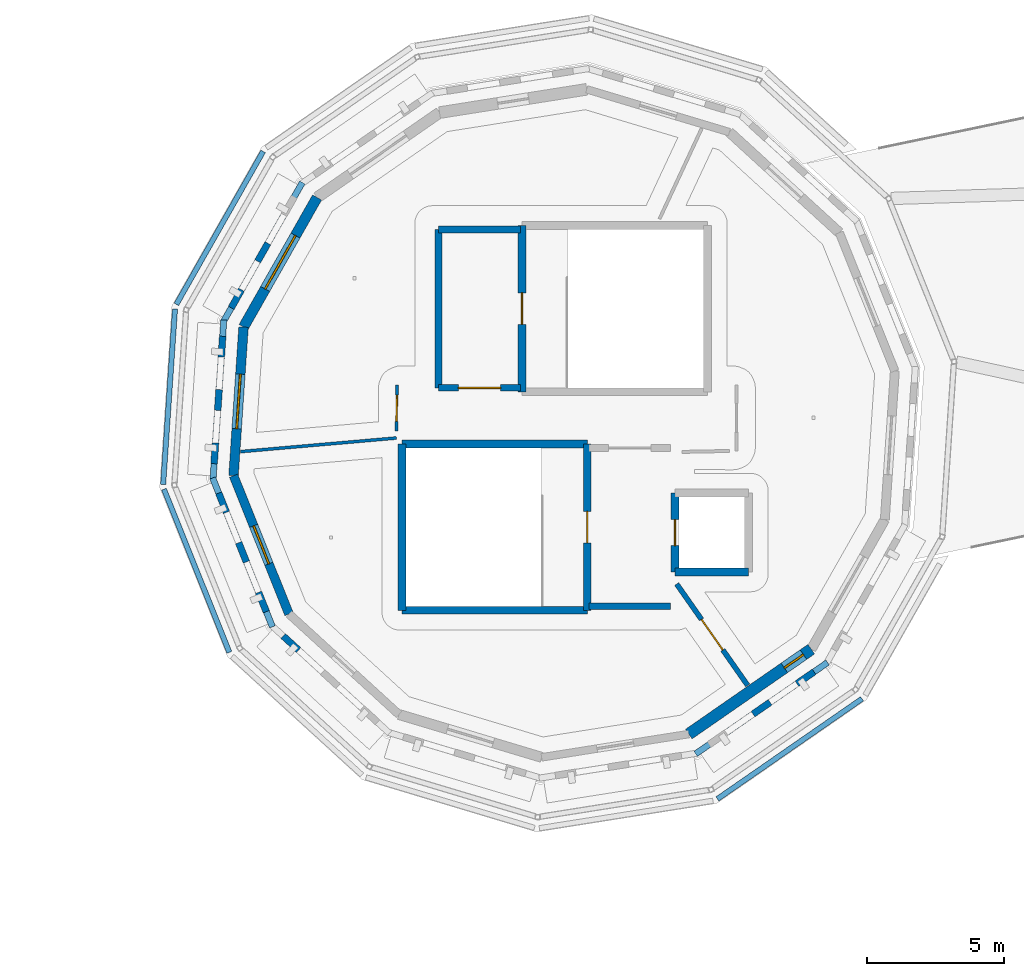
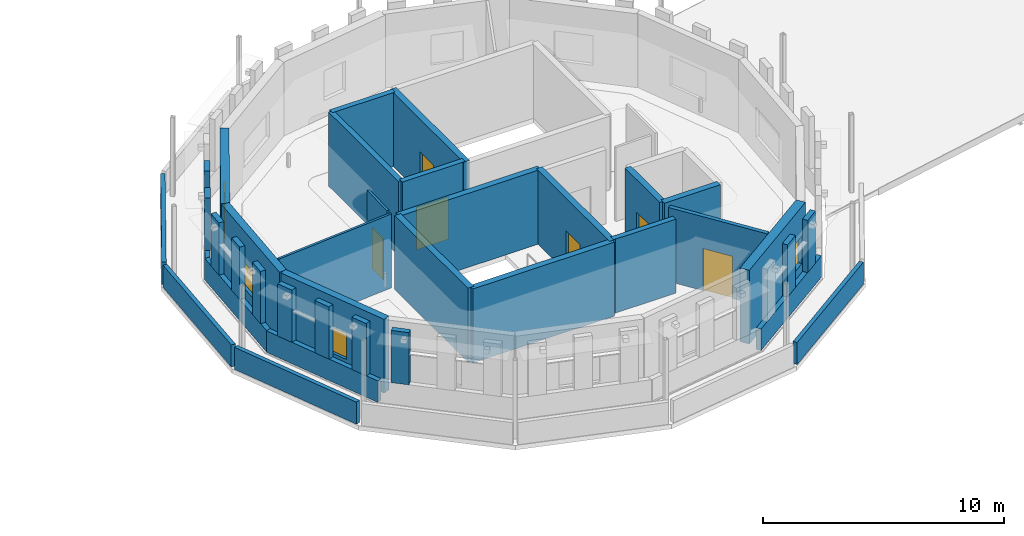
# One storey, part 39 of 51: 37 walls, 6 doors, 4 windows, 10 openings.
"""IFC4 building model written with IfcOpenShell, lengths in metres."""

from ifc_helpers import new_model, si_unit, direction, frame, frame_2d, origin, place, context, subcontext, project, spatial, rectangle, extrude, material, layer, layer_set, type_object, element, fill, save


model = new_model("IFC4")

# Units and contexts
model_context = context("Model", 3, precision=1e-05, world=origin(), true_north=direction((0.0, 1.0)))
body_context = subcontext(model_context, "Body", "Model", "MODEL_VIEW")
ifc_project = project(units=[si_unit("LENGTHUNIT", "METRE"), si_unit("AREAUNIT", "SQUARE_METRE"), si_unit("VOLUMEUNIT", "CUBIC_METRE"), si_unit("PLANEANGLEUNIT", "RADIAN"), si_unit("MASSUNIT", "GRAM", prefix="KILO")], contexts=[model_context])

# Site, building, storey
site_placement = place(None, origin())
site = spatial("IfcSite", under=ifc_project, at=site_placement, CompositionType="ELEMENT")
building_placement = place(site_placement, origin())
building = spatial("IfcBuilding", under=site, at=building_placement, Name="Wrenclough Park School", CompositionType="ELEMENT")
storey_placement = place(building_placement, frame((0.0, 0.0, 16.800048828125)))
storey = spatial("IfcBuildingStorey", under=building, at=storey_placement, Name="L04", CompositionType="ELEMENT", Elevation=16.800048828125)

# Walls
ifc_material_1 = material(Name="Perforated open-bond Staffordshire and Manchester brick screen pier", Category="masonry")
ifc_layer_1 = layer(ifc_material_1, 0.2451171875)
ifc_layer_set_1 = layer_set([ifc_layer_1], Name="Perforated open-bond Staffordshire and Manchester brick screen pier")
wall_type_1 = type_object("IfcWallType", Name="ENV-BS-PR245", PredefinedType="ELEMENTEDWALL", material=ifc_layer_set_1)
for number, where, z_axis, x_axis, name in (
    (1, (72.1513671875, 115.0927734375, 1.08984375), (0.0, 0.0, 1.0), (-0.493369123582, -0.869820043398, 0.0), "D4 L04 perforated brick screen pier 0936"),
    (2, (71.18505859375, 113.3896484375, 1.08984375), (0.0, 0.0, 1.0), (-0.493369123582, -0.869820043398, 0.0), "D4 L04 perforated brick screen pier 0937"),
    (3, (70.4970703125, 111.6865234375, 1.08984375), (0.0, 0.0, 1.0), (-0.06745706932, -0.997722177662, 0.0), "D4 L04 perforated brick screen pier 0938"),
):
    element("IfcWall", number, at=place(storey_placement, frame(where, z_axis=z_axis, x_axis=x_axis)), inside=storey, type_object=wall_type_1, Name=name, PredefinedType="ELEMENTEDWALL", context=body_context, shape_type="SweptSolid", body=[
        extrude(rectangle(XDim=0.760009765625, YDim=0.2451171875, at=frame_2d((0.3798828125, 0.0))), origin(), (0.0, 0.0, 1.0), 2.650146484375),
    ])
wall_1_placement = place(storey_placement, frame((70.365234375, 109.732666015625, 1.08984375), z_axis=(0.0, 0.0, 1.0), x_axis=(-0.06715882133, -0.997742297749, 0.0)))
element("IfcWall", 4, at=wall_1_placement, inside=storey, type_object=wall_type_1, Name="D4 L04 perforated brick screen pier 0939", PredefinedType="ELEMENTEDWALL", context=body_context, shape_type="SweptSolid", body=[
    extrude(rectangle(XDim=0.759765625, YDim=0.2451171875, at=frame_2d((0.3798828125, 0.0))), origin(), (0.0, 0.0, 1.0), 2.650146484375),
])
for number, where, z_axis, x_axis, name in (
    (5, (70.2333984375, 107.779052734375, 1.08984375), (0.0, 0.0, 1.0), (-0.06713729652, -0.997743746368, 0.0), "D4 L04 perforated brick screen pier 0940"),
    (6, (70.3525390625, 105.946044921875, 1.08984375), (0.0, 0.0, 1.0), (0.372332088642, -0.928099572119, 0.0), "D4 L04 perforated brick screen pier 0941"),
):
    element("IfcWall", number, at=place(storey_placement, frame(where, z_axis=z_axis, x_axis=x_axis)), inside=storey, type_object=wall_type_1, Name=name, PredefinedType="ELEMENTEDWALL", context=body_context, shape_type="SweptSolid", body=[
        extrude(rectangle(XDim=0.760009765625, YDim=0.2451171875, at=frame_2d((0.3798828125, 0.0))), origin(), (0.0, 0.0, 1.0), 2.650146484375),
    ])
wall_2_placement = place(storey_placement, frame((71.081787109375, 104.128662109375, 1.08984375), z_axis=(0.0, 0.0, 1.0), x_axis=(0.372055321784, -0.92821055668, 0.0)))
element("IfcWall", 7, at=wall_2_placement, inside=storey, type_object=wall_type_1, Name="D4 L04 perforated brick screen pier 0942", PredefinedType="ELEMENTEDWALL", context=body_context, shape_type="SweptSolid", body=[
    extrude(rectangle(XDim=0.759765625, YDim=0.2451171875, at=frame_2d((0.3798828125, 0.0))), origin(), (0.0, 0.0, 1.0), 2.650146484375),
])
wall_3_placement = place(storey_placement, frame((71.810791015625, 102.311279296875, 1.08984375), z_axis=(0.0, 0.0, 1.0), x_axis=(0.372221106522, -0.928144087876, 0.0)))
element("IfcWall", 8, at=wall_3_placement, inside=storey, type_object=wall_type_1, Name="D4 L04 perforated brick screen pier 0943", PredefinedType="ELEMENTEDWALL", context=body_context, shape_type="SweptSolid", body=[
    extrude(rectangle(XDim=0.76025390625, YDim=0.2451171875, at=frame_2d((0.380126953125, 0.0))), origin(), (0.0, 0.0, 1.0), 2.650146484375),
])
for number, where, z_axis, x_axis, name in (
    (9, (72.713134765625, 100.71142578125, 1.08984375), (0.0, 0.0, 1.0), (0.738193334464, -0.67458920904, 0.0), "D4 L04 perforated brick screen pier 0944"),
    (10, (89.913818359375, 97.853271484375, 1.08984375), (0.0, 0.0, 1.0), (0.822134358489, 0.569293506543, 0.0), "D4 L04 perforated brick screen pier 0954"),
    (11, (91.5234375, 98.96826171875, 1.08984375), (0.0, 0.0, 1.0), (0.821983990668, 0.569510596113, 0.0), "D4 L04 perforated brick screen pier 0955"),
):
    element("IfcWall", number, at=place(storey_placement, frame(where, z_axis=z_axis, x_axis=x_axis)), inside=storey, type_object=wall_type_1, Name=name, PredefinedType="ELEMENTEDWALL", context=body_context, shape_type="SweptSolid", body=[
        extrude(rectangle(XDim=0.760009765625, YDim=0.2451171875, at=frame_2d((0.3798828125, 0.0))), origin(), (0.0, 0.0, 1.0), 2.650146484375),
    ])
ifc_material_2 = material(Name="Open-bond Manchester multi-stock brick spandrel screen", Category="masonry")
ifc_layer_2 = layer(ifc_material_2, 0.22509765625)
ifc_layer_set_2 = layer_set([ifc_layer_2], Name="Open-bond Manchester multi-stock brick spandrel screen")
wall_type_2 = type_object("IfcWallType", Name="ENV-BS-SP225", PredefinedType="ELEMENTEDWALL", material=ifc_layer_set_2)
for number, where, z_axis, x_axis, name in (
    (12, (73.413330078125, 117.31689453125, 0.0), (0.0, 0.0, 1.0), (-0.493478080184, -0.869758233291, 0.0), "D4 L04 open-bond brick screen spandrel 0257"),
    (13, (70.537353515625, 112.2841796875, 0.0), (0.0, 0.0, 1.0), (-0.067285830215, -0.99773374056, 0.0), "D4 L04 open-bond brick screen spandrel 0258"),
):
    element("IfcWall", number, at=place(storey_placement, frame(where, z_axis=z_axis, x_axis=x_axis)), inside=storey, type_object=wall_type_2, Name=name, PredefinedType="ELEMENTEDWALL", context=body_context, shape_type="SweptSolid", body=[
        extrude(rectangle(XDim=5.87451171875, YDim=0.22509765625, at=frame_2d((2.937255859375, 0.0))), origin(), (0.0, 0.0, 1.0), 1.08984375),
    ])
wall_4_placement = place(storey_placement, frame((70.129638671875, 106.502197265625, 0.0), z_axis=(0.0, 0.0, 1.0), x_axis=(0.372278993488, -0.928120870904, 0.0)))
element("IfcWall", 14, at=wall_4_placement, inside=storey, type_object=wall_type_2, Name="D4 L04 open-bond brick screen spandrel 0259", PredefinedType="ELEMENTEDWALL", context=body_context, shape_type="SweptSolid", body=[
    extrude(rectangle(XDim=5.874755859375, YDim=0.22509765625, at=frame_2d((2.9375, 0.0))), origin(), (0.0, 0.0, 1.0), 1.08984375),
])
wall_5_placement = place(storey_placement, frame((87.811767578125, 96.39697265625, 0.0), z_axis=(0.0, 0.0, 1.0), x_axis=(0.822020094665, 0.569458483093, 0.0)))
element("IfcWall", 15, at=wall_5_placement, inside=storey, type_object=wall_type_2, Name="D4 L04 open-bond brick screen spandrel 0263", PredefinedType="ELEMENTEDWALL", context=body_context, shape_type="SweptSolid", body=[
    extrude(rectangle(XDim=5.874267578125, YDim=0.22509765625, at=frame_2d((2.93701171875, 0.0))), origin(), (0.0, 0.0, 1.0), 1.08984375),
])

# Wall, opening, window
ifc_material_3 = material(Name="Manchester multi-stock brick and Concrete C32/40 inner leaf", Category="masonry")
ifc_layer_3 = layer(ifc_material_3, 0.324951171875)
ifc_layer_set_3 = layer_set([ifc_layer_3], Name="Manchester multi-stock brick and Concrete C32/40 inner leaf")
wall_type_3 = type_object("IfcWallType", Name="ENV-EW-325", PredefinedType="SOLIDWALL", material=ifc_layer_set_3)
wall_6_placement = place(storey_placement, frame((72.9248046875, 101.52001953125, 0.0), z_axis=(0.0, 0.0, 1.0), x_axis=(-0.372285636328, 0.928118206364, 0.0)))
wall_6 = element("IfcWall", 16, at=wall_6_placement, inside=storey, type_object=wall_type_3, Name="L04 insulated brick external wall 0369", PredefinedType="SOLIDWALL", context=body_context, shape_type="SweptSolid", body=[
    extrude(rectangle(XDim=5.454833984375, YDim=0.324951171875, at=frame_2d((2.7275390625, 0.0))), origin(), (0.0, 0.0, 1.0), 3.739990234375),
])
opening_1_placement = place(wall_6_placement, frame((1.9775390625, 0.0, 0.85009765625)))
opening_1 = element("IfcOpeningElement", 17, at=opening_1_placement, cuts=wall_6, Name="Opening WN-46", PredefinedType="OPENING", context=body_context, shape_type="SweptSolid", body=[
    extrude(rectangle(XDim=1.5, YDim=1.300048828125, at=frame_2d((0.75, 0.64990234375))), frame((0.0, 0.17236328125, 0.0), z_axis=(0.0, -1.0, 0.0), x_axis=(1.0, 0.0, 0.0)), (0.0, 0.0, 1.0), 0.344970703125),
])
ifc_material_4 = material(Name="Thermally broken aluminium and double-glazed low-e glass", Category="aluminium")
window_type_1 = type_object("IfcWindowType", Name="ENV-WN-46", PartitioningType="DOUBLE_PANEL_VERTICAL", PredefinedType="WINDOW", material=ifc_material_4)
window_1_placement = place(opening_1_placement, origin())
window_1 = element("IfcWindow", 18, at=window_1_placement, inside=storey, type_object=window_type_1, Name="L04 scheduled facade window 0605", OverallHeight=1.300048828125, OverallWidth=1.5, PartitioningType="SINGLE_PANEL", PredefinedType="WINDOW", context=body_context, shape_type="SweptSolid", body=[
    extrude(rectangle(XDim=1.5, YDim=1.300048828125, at=frame_2d((0.75, 0.64990234375))), frame((0.0, 0.030029296875, 0.0), z_axis=(0.0, -1.0, 0.0), x_axis=(1.0, 0.0, 0.0)), (0.0, 0.0, 1.0), 0.06005859375),
])
fill(opening_1, window_1)

ifc_material_5 = material(Name="Staffordshire blue-grey brick and Concrete C35/45 inner leaf", Category="masonry")
ifc_layer_4 = layer(ifc_material_5, 0.35009765625)
ifc_layer_set_4 = layer_set([ifc_layer_4], Name="Staffordshire blue-grey brick and Concrete C35/45 inner leaf")
wall_type_4 = type_object("IfcWallType", Name="ENV-EW-350", PredefinedType="SOLIDWALL", material=ifc_layer_set_4)
wall_7_placement = place(storey_placement, frame((70.89404296875, 106.582763671875, 0.0), z_axis=(0.0, 0.0, 1.0), x_axis=(0.067273565792, 0.997734567581, 0.0)))
wall_7 = element("IfcWall", 19, at=wall_7_placement, inside=storey, type_object=wall_type_4, Name="L04 insulated brick external wall 0370", PredefinedType="SOLIDWALL", context=body_context, shape_type="SweptSolid", body=[
    extrude(rectangle(XDim=5.45458984375, YDim=0.35009765625, at=frame_2d((2.727294921875, 0.0))), origin(), (0.0, 0.0, 1.0), 3.739990234375),
])
opening_2_placement = place(wall_7_placement, frame((1.727294921875, 0.0, 0.85009765625)))
opening_2 = element("IfcOpeningElement", 20, at=opening_2_placement, cuts=wall_7, Name="Opening WN-47", PredefinedType="OPENING", context=body_context, shape_type="SweptSolid", body=[
    extrude(rectangle(XDim=2.0, YDim=1.300048828125, at=frame_2d((1.0, 0.64990234375))), frame((0.0, 0.18505859375, 0.0), z_axis=(0.0, -1.0, 0.0), x_axis=(1.0, 0.0, 0.0)), (0.0, 0.0, 1.0), 0.3701171875),
])
window_type_2 = type_object("IfcWindowType", Name="ENV-WN-47", PartitioningType="DOUBLE_PANEL_VERTICAL", PredefinedType="WINDOW", material=ifc_material_4)
window_2_placement = place(opening_2_placement, origin())
window_2 = element("IfcWindow", 21, at=window_2_placement, inside=storey, type_object=window_type_2, Name="L04 scheduled facade window 0606", OverallHeight=1.300048828125, OverallWidth=2.0, PartitioningType="SINGLE_PANEL", PredefinedType="WINDOW", context=body_context, shape_type="SweptSolid", body=[
    extrude(rectangle(XDim=2.0, YDim=1.300048828125, at=frame_2d((1.0, 0.64990234375))), frame((0.0, 0.030029296875, 0.0), z_axis=(0.0, -1.0, 0.0), x_axis=(1.0, 0.0, 0.0)), (0.0, 0.0, 1.0), 0.06005859375),
])
fill(opening_2, window_2)

ifc_material_6 = material(Name="Manchester multi-stock brick and Concrete C35/45 inner leaf", Category="masonry")
ifc_layer_5 = layer(ifc_material_6, 0.3798828125)
ifc_layer_set_5 = layer_set([ifc_layer_5], Name="Manchester multi-stock brick and Concrete C35/45 inner leaf")
wall_type_5 = type_object("IfcWallType", Name="ENV-EW-380", PredefinedType="SOLIDWALL", material=ifc_layer_set_5)
wall_8_placement = place(storey_placement, frame((71.260986328125, 112.02490234375, 0.0), z_axis=(0.0, 0.0, 1.0), x_axis=(0.493466451817, 0.86976483082, 0.0)))
wall_8 = element("IfcWall", 22, at=wall_8_placement, inside=storey, type_object=wall_type_5, Name="L04 insulated brick external wall 0371", PredefinedType="SOLIDWALL", context=body_context, shape_type="SweptSolid", body=[
    extrude(rectangle(XDim=5.455078125, YDim=0.3798828125, at=frame_2d((2.7275390625, 0.0))), origin(), (0.0, 0.0, 1.0), 3.739990234375),
])
opening_3_placement = place(wall_8_placement, frame((1.6025390625, 0.0, 0.85009765625)))
opening_3 = element("IfcOpeningElement", 23, at=opening_3_placement, cuts=wall_8, Name="Opening WN-48", PredefinedType="OPENING", context=body_context, shape_type="SweptSolid", body=[
    extrude(rectangle(XDim=2.25, YDim=1.300048828125, at=frame_2d((1.125, 0.64990234375))), frame((0.0, 0.199951171875, 0.0), z_axis=(0.0, -1.0, 0.0), x_axis=(1.0, 0.0, 0.0)), (0.0, 0.0, 1.0), 0.39990234375),
])
window_type_3 = type_object("IfcWindowType", Name="ENV-WN-48", PartitioningType="DOUBLE_PANEL_VERTICAL", PredefinedType="WINDOW", material=ifc_material_4)
window_3_placement = place(opening_3_placement, origin())
window_3 = element("IfcWindow", 24, at=window_3_placement, inside=storey, type_object=window_type_3, Name="L04 scheduled facade window 0607", OverallHeight=1.300048828125, OverallWidth=2.25, PartitioningType="SINGLE_PANEL", PredefinedType="WINDOW", context=body_context, shape_type="SweptSolid", body=[
    extrude(rectangle(XDim=2.25, YDim=1.300048828125, at=frame_2d((1.125, 0.64990234375))), frame((0.0, 0.030029296875, 0.0), z_axis=(0.0, -1.0, 0.0), x_axis=(1.0, 0.0, 0.0)), (0.0, 0.0, 1.0), 0.06005859375),
])
fill(opening_3, window_3)

ifc_material_7 = material(Name="Insulated brick-clad sports hall wall Concrete C40/50", Category="masonry")
ifc_layer_6 = layer(ifc_material_7, 0.425048828125)
ifc_layer_set_6 = layer_set([ifc_layer_6], Name="Insulated brick-clad sports hall wall Concrete C40/50")
wall_type_6 = type_object("IfcWallType", Name="ENV-EW-425", PredefinedType="SOLIDWALL", material=ifc_layer_set_6)
wall_9_placement = place(storey_placement, frame((92.047119140625, 100.23046875, 0.0), z_axis=(0.0, 0.0, 1.0), x_axis=(-0.822002019209, -0.569484574345, 0.0)))
wall_9 = element("IfcWall", 25, at=wall_9_placement, inside=storey, type_object=wall_type_6, Name="L04 insulated brick external wall 0365", PredefinedType="SOLIDWALL", context=body_context, shape_type="SweptSolid", body=[
    extrude(rectangle(XDim=5.454833984375, YDim=0.425048828125, at=frame_2d((2.7275390625, 0.0))), origin(), (0.0, 0.0, 1.0), 3.739990234375),
])
opening_4_placement = place(wall_9_placement, frame((0.35009765625, 0.0, 0.85009765625)))
opening_4 = element("IfcOpeningElement", 26, at=opening_4_placement, cuts=wall_9, Name="Opening WN-01", PredefinedType="OPENING", context=body_context, shape_type="SweptSolid", body=[
    extrude(rectangle(XDim=0.85009765625, YDim=1.39990234375, at=frame_2d((0.425048828125, 0.699951171875))), frame((0.0, 0.222412109375, 0.0), z_axis=(0.0, -1.0, 0.0), x_axis=(1.0, 0.0, 0.0)), (0.0, 0.0, 1.0), 0.445068359375),
])
window_type_4 = type_object("IfcWindowType", Name="ENV-WN-01", PartitioningType="SINGLE_PANEL", PredefinedType="WINDOW", material=ifc_material_4)
window_4_placement = place(opening_4_placement, origin())
window_4 = element("IfcWindow", 27, at=window_4_placement, inside=storey, type_object=window_type_4, Name="L04 scheduled facade window 0601", OverallHeight=1.39990234375, OverallWidth=0.85009765625, PartitioningType="SINGLE_PANEL", PredefinedType="WINDOW", context=body_context, shape_type="SweptSolid", body=[
    extrude(rectangle(XDim=0.85009765625, YDim=1.39990234375, at=frame_2d((0.425048828125, 0.699951171875))), frame((0.0, 0.030029296875, 0.0), z_axis=(0.0, -1.0, 0.0), x_axis=(1.0, 0.0, 0.0)), (0.0, 0.0, 1.0), 0.06005859375),
])
fill(opening_4, window_4)

# Walls
ifc_material_8 = material(Name="Patinated copper-coped link roof parapet", Category="masonry")
ifc_layer_7 = layer(ifc_material_8, 0.18994140625)
ifc_layer_set_7 = layer_set([ifc_layer_7], Name="Patinated copper-coped link roof parapet")
wall_type_7 = type_object("IfcWallType", Name="ENV-PW-190", PredefinedType="PARAPET", material=ifc_layer_set_7)
wall_10_placement = place(storey_placement, frame((71.977783203125, 118.4541015625, 0.0), z_axis=(0.0, 0.0, 1.0), x_axis=(-0.493530297945, -0.869728604227, 0.0)))
element("IfcWall", 28, at=wall_10_placement, inside=storey, type_object=wall_type_7, Name="D4-STEP-ROOF cylindrical drum parapet wall 047", PredefinedType="PARAPET", context=body_context, shape_type="SweptSolid", body=[
    extrude(rectangle(XDim=6.435791015625, YDim=0.18994140625, at=frame_2d((3.2177734375, 0.0))), origin(), (0.0, 0.0, 1.0), 1.119873046875),
])
wall_11_placement = place(storey_placement, frame((68.750244140625, 112.685791015625, 0.0), z_axis=(0.0, 0.0, 1.0), x_axis=(-0.067261779362, -0.997735362226, 0.0)))
element("IfcWall", 29, at=wall_11_placement, inside=storey, type_object=wall_type_7, Name="D4-STEP-ROOF cylindrical drum parapet wall 048", PredefinedType="PARAPET", context=body_context, shape_type="SweptSolid", body=[
    extrude(rectangle(XDim=6.435546875, YDim=0.18994140625, at=frame_2d((3.2177734375, 0.0))), origin(), (0.0, 0.0, 1.0), 1.119873046875),
])
wall_12_placement = place(storey_placement, frame((68.345458984375, 106.088623046875, 0.0), z_axis=(0.0, 0.0, 1.0), x_axis=(0.372260412092, -0.92812832388, 0.0)))
element("IfcWall", 30, at=wall_12_placement, inside=storey, type_object=wall_type_7, Name="D4-STEP-ROOF cylindrical drum parapet wall 049", PredefinedType="PARAPET", context=body_context, shape_type="SweptSolid", body=[
    extrude(rectangle(XDim=6.435791015625, YDim=0.18994140625, at=frame_2d((3.2177734375, 0.0))), origin(), (0.0, 0.0, 1.0), 1.119873046875),
])
wall_13_placement = place(storey_placement, frame((88.61181640625, 94.74951171875, 0.0), z_axis=(0.0, 0.0, 1.0), x_axis=(0.822025543464, 0.569450617607, 0.0)))
element("IfcWall", 31, at=wall_13_placement, inside=storey, type_object=wall_type_7, Name="D4-STEP-ROOF cylindrical drum parapet wall 053", PredefinedType="PARAPET", context=body_context, shape_type="SweptSolid", body=[
    extrude(rectangle(XDim=6.435546875, YDim=0.18994140625, at=frame_2d((3.2177734375, 0.0))), origin(), (0.0, 0.0, 1.0), 1.119873046875),
])
ifc_material_9 = material(Name="Concrete C35/45", Category="concrete")
ifc_layer_8 = layer(ifc_material_9, 0.25)
ifc_layer_set_8 = layer_set([ifc_layer_8], Name="Concrete C35/45")
wall_type_8 = type_object("IfcWallType", Name="INT-CW-250", PredefinedType="SHEAR", material=ifc_layer_set_8)
wall_14_placement = place(storey_placement, frame((83.89990234375, 101.800048828125, 0.0), z_axis=(0.0, 0.0, 1.0), x_axis=(1.0, 0.0, 0.0)))
element("IfcWall", 32, at=wall_14_placement, inside=storey, type_object=wall_type_8, Name="Core C4 L04 lobby fire wall south", PredefinedType="SHEAR", context=body_context, shape_type="SweptSolid", body=[
    extrude(rectangle(XDim=3.0, YDim=0.25, at=frame_2d((1.5, 0.0))), origin(), (0.0, 0.0, 1.0), 3.75),
])

# Wall, opening, door
wall_15_placement = place(storey_placement, frame((78.39990234375, 109.800048828125, 0.0), z_axis=(0.0, 0.0, 1.0), x_axis=(1.0, 0.0, 0.0)))
wall_15 = element("IfcWall", 33, at=wall_15_placement, inside=storey, type_object=wall_type_8, Name="Core C4B L04 lobby fire wall south", PredefinedType="SHEAR", context=body_context, shape_type="SweptSolid", body=[
    extrude(rectangle(XDim=3.0, YDim=0.25, at=frame_2d((1.5, 0.0))), origin(), (0.0, 0.0, 1.0), 3.75),
])
opening_5_placement = place(wall_15_placement, frame((0.72509765625, 0.0, 0.0)))
opening_5 = element("IfcOpeningElement", 34, at=opening_5_placement, cuts=wall_15, Name="Opening DLB-C4B-L04", PredefinedType="OPENING", context=body_context, shape_type="SweptSolid", body=[
    extrude(rectangle(XDim=1.550048828125, YDim=2.14990234375, at=frame_2d((0.77490234375, 1.074951171875))), frame((0.0, 0.135009765625, 0.0), z_axis=(0.0, -1.0, 0.0), x_axis=(1.0, 0.0, 0.0)), (0.0, 0.0, 1.0), 0.27001953125),
])
ifc_material_10 = material(Name="Protected stair lobby double fire door assembly", Category="wood")
door_type_1 = type_object("IfcDoorType", Name="INT-DR-LB155", OperationType="NOTDEFINED", PredefinedType="DOOR", material=ifc_material_10)
door_1_placement = place(opening_5_placement, origin())
door_1 = element("IfcDoor", 35, at=door_1_placement, inside=storey, type_object=door_type_1, Name="Core C4B L04 protected lobby fire door", OperationType="DOUBLE_DOOR_SINGLE_SWING", OverallHeight=2.14990234375, OverallWidth=1.550048828125, PredefinedType="DOOR", context=body_context, shape_type="SweptSolid", body=[
    extrude(rectangle(XDim=1.550048828125, YDim=2.14990234375, at=frame_2d((0.77490234375, 1.074951171875))), frame((0.0, 0.02490234375, 0.0), z_axis=(0.0, -1.0, 0.0), x_axis=(1.0, 0.0, 0.0)), (0.0, 0.0, 1.0), 0.050048828125),
])
fill(opening_5, door_1)

# Walls
wall_16_placement = place(storey_placement, frame((81.39990234375, 115.60009765625, 0.0), z_axis=(0.0, 0.0, 1.0), x_axis=(-1.0, 0.0, 0.0)))
element("IfcWall", 36, at=wall_16_placement, inside=storey, type_object=wall_type_8, Name="Core C4B L04 lobby fire wall north", PredefinedType="SHEAR", context=body_context, shape_type="SweptSolid", body=[
    extrude(rectangle(XDim=3.0, YDim=0.25, at=frame_2d((1.5, 0.0))), origin(), (0.0, 0.0, 1.0), 3.75),
])
wall_17_placement = place(storey_placement, frame((78.39990234375, 115.60009765625, 0.0), z_axis=(0.0, 0.0, 1.0), x_axis=(0.0, -1.0, 0.0)))
element("IfcWall", 37, at=wall_17_placement, inside=storey, type_object=wall_type_8, Name="Core C4B L04 lobby fire wall west", PredefinedType="SHEAR", context=body_context, shape_type="SweptSolid", body=[
    extrude(rectangle(XDim=5.800048828125, YDim=0.25, at=frame_2d((2.89990234375, 0.0))), origin(), (0.0, 0.0, 1.0), 3.75),
])
ifc_material_11 = material(Name="Concrete C40/50", Category="concrete")
ifc_layer_9 = layer(ifc_material_11, 0.2900390625)
ifc_layer_set_9 = layer_set([ifc_layer_9], Name="Concrete C40/50")
wall_type_9 = type_object("IfcWallType", Name="INT-CW-290", PredefinedType="SHEAR", material=ifc_layer_set_9)
wall_18_placement = place(storey_placement, frame((77.054931640625, 101.655029296875, 0.0), z_axis=(0.0, 0.0, 1.0), x_axis=(1.0, 0.0, 0.0)))
element("IfcWall", 38, at=wall_18_placement, inside=storey, type_object=wall_type_9, Name="Core C4 L04 south shear wall", PredefinedType="SHEAR", context=body_context, shape_type="SweptSolid", body=[
    extrude(rectangle(XDim=6.7900390625, YDim=0.2900390625, at=frame_2d((3.39501953125, 0.0))), origin(), (0.0, 0.0, 1.0), 3.75),
])

# Wall, opening, door
wall_19_placement = place(storey_placement, frame((83.844970703125, 101.655029296875, 0.0), z_axis=(0.0, 0.0, 1.0), x_axis=(0.0, 1.0, 0.0)))
wall_19 = element("IfcWall", 39, at=wall_19_placement, inside=storey, type_object=wall_type_9, Name="Core C4 L04 east shear wall", PredefinedType="SHEAR", context=body_context, shape_type="SweptSolid", body=[
    extrude(rectangle(XDim=6.090087890625, YDim=0.2900390625, at=frame_2d((3.044921875, 0.0))), origin(), (0.0, 0.0, 1.0), 3.75),
])
opening_6_placement = place(wall_19_placement, frame((2.469970703125, 0.0, 0.0)))
opening_6 = element("IfcOpeningElement", 40, at=opening_6_placement, cuts=wall_19, Name="Opening DST-C4-L04", PredefinedType="OPENING", context=body_context, shape_type="SweptSolid", body=[
    extrude(rectangle(XDim=1.14990234375, YDim=2.10009765625, at=frame_2d((0.574951171875, 1.050048828125))), frame((0.0, 0.155029296875, 0.0), z_axis=(0.0, -1.0, 0.0), x_axis=(1.0, 0.0, 0.0)), (0.0, 0.0, 1.0), 0.31005859375),
])
ifc_material_12 = material(Name="Protected escape stair single fire door assembly", Category="wood")
door_type_2 = type_object("IfcDoorType", Name="INT-DR-ST115", OperationType="NOTDEFINED", PredefinedType="DOOR", material=ifc_material_12)
door_2_placement = place(opening_6_placement, origin())
door_2 = element("IfcDoor", 41, at=door_2_placement, inside=storey, type_object=door_type_2, Name="Stair ST-04 L04 fire door", OperationType="SINGLE_SWING_LEFT", OverallHeight=2.10009765625, OverallWidth=1.14990234375, PredefinedType="DOOR", context=body_context, shape_type="SweptSolid", body=[
    extrude(rectangle(XDim=1.14990234375, YDim=2.10009765625, at=frame_2d((0.574951171875, 1.050048828125))), frame((0.0, 0.02490234375, 0.0), z_axis=(0.0, -1.0, 0.0), x_axis=(1.0, 0.0, 0.0)), (0.0, 0.0, 1.0), 0.050048828125),
])
fill(opening_6, door_2)

# Walls
wall_20_placement = place(storey_placement, frame((83.844970703125, 107.7451171875, 0.0), z_axis=(0.0, 0.0, 1.0), x_axis=(-1.0, 0.0, 0.0)))
element("IfcWall", 42, at=wall_20_placement, inside=storey, type_object=wall_type_9, Name="Core C4 L04 north shear wall", PredefinedType="SHEAR", context=body_context, shape_type="SweptSolid", body=[
    extrude(rectangle(XDim=6.7900390625, YDim=0.2900390625, at=frame_2d((3.39501953125, 0.0))), origin(), (0.0, 0.0, 1.0), 3.75),
])
wall_21_placement = place(storey_placement, frame((77.054931640625, 107.7451171875, 0.0), z_axis=(0.0, 0.0, 1.0), x_axis=(0.0, -1.0, 0.0)))
element("IfcWall", 43, at=wall_21_placement, inside=storey, type_object=wall_type_9, Name="Core C4 L04 west shear wall", PredefinedType="SHEAR", context=body_context, shape_type="SweptSolid", body=[
    extrude(rectangle(XDim=6.090087890625, YDim=0.2900390625, at=frame_2d((3.044921875, 0.0))), origin(), (0.0, 0.0, 1.0), 3.75),
])
wall_22_placement = place(storey_placement, frame((87.054931640625, 103.054931640625, 0.0), z_axis=(0.0, 0.0, 1.0), x_axis=(1.0, 0.0, 0.0)))
element("IfcWall", 44, at=wall_22_placement, inside=storey, type_object=wall_type_9, Name="Lift LFT-06 L04 south shaft wall", PredefinedType="SHEAR", context=body_context, shape_type="SweptSolid", body=[
    extrude(rectangle(XDim=2.690185546875, YDim=0.2900390625, at=frame_2d((1.34521484375, 0.0))), origin(), (0.0, 0.0, 1.0), 3.75),
])

# Wall, opening, door
wall_23_placement = place(storey_placement, frame((87.054931640625, 105.945068359375, 0.0), z_axis=(0.0, 0.0, 1.0), x_axis=(0.0, -1.0, 0.0)))
wall_23 = element("IfcWall", 45, at=wall_23_placement, inside=storey, type_object=wall_type_9, Name="Lift LFT-06 L04 west shaft wall", PredefinedType="SHEAR", context=body_context, shape_type="SweptSolid", body=[
    extrude(rectangle(XDim=2.89013671875, YDim=0.2900390625, at=frame_2d((1.445068359375, 0.0))), origin(), (0.0, 0.0, 1.0), 3.75),
])
opening_7_placement = place(wall_23_placement, frame((0.969970703125, 0.0, 0.0)))
opening_7 = element("IfcOpeningElement", 46, at=opening_7_placement, cuts=wall_23, Name="Opening LD-06-L04", PredefinedType="OPENING", context=body_context, shape_type="SweptSolid", body=[
    extrude(rectangle(XDim=0.949951171875, YDim=2.10009765625, at=frame_2d((0.47509765625, 1.050048828125))), frame((0.0, 0.155029296875, 0.0), z_axis=(0.0, -1.0, 0.0), x_axis=(1.0, 0.0, 0.0)), (0.0, 0.0, 1.0), 0.31005859375),
])
ifc_material_13 = material(Name="Brushed stainless steel", Category="steel")
door_type_3 = type_object("IfcDoorType", Name="INT-DR-LD095", OperationType="NOTDEFINED", PredefinedType="DOOR", material=ifc_material_13)
door_3_placement = place(opening_7_placement, frame((0.949951171875, 0.0, 0.0), z_axis=(0.0, 0.0, 1.0), x_axis=(-1.0, 0.0, 0.0)))
door_3 = element("IfcDoor", 47, at=door_3_placement, inside=storey, type_object=door_type_3, Name="Lift LFT-06 L04 sliding landing door", OperationType="SLIDING_TO_LEFT", OverallHeight=2.10009765625, OverallWidth=0.949951171875, PredefinedType="DOOR", context=body_context, shape_type="SweptSolid", body=[
    extrude(rectangle(XDim=0.949951171875, YDim=2.10009765625, at=frame_2d((0.47509765625, 1.050048828125))), frame((0.0, 0.02490234375, 0.0), z_axis=(0.0, -1.0, 0.0), x_axis=(1.0, 0.0, 0.0)), (0.0, 0.0, 1.0), 0.050048828125),
])
fill(opening_7, door_3)

wall_24_placement = place(storey_placement, frame((81.455078125, 115.7451171875, 0.0), z_axis=(0.0, 0.0, 1.0), x_axis=(0.0, -1.0, 0.0)))
wall_24 = element("IfcWall", 48, at=wall_24_placement, inside=storey, type_object=wall_type_9, Name="Core C4B L04 west shear wall", PredefinedType="SHEAR", context=body_context, shape_type="SweptSolid", body=[
    extrude(rectangle(XDim=6.090087890625, YDim=0.2900390625, at=frame_2d((3.044921875, 0.0))), origin(), (0.0, 0.0, 1.0), 3.75),
])
opening_8_placement = place(wall_24_placement, frame((2.469970703125, 0.0, 0.0)))
opening_8 = element("IfcOpeningElement", 49, at=opening_8_placement, cuts=wall_24, Name="Opening DST-C4B-L04", PredefinedType="OPENING", context=body_context, shape_type="SweptSolid", body=[
    extrude(rectangle(XDim=1.14990234375, YDim=2.10009765625, at=frame_2d((0.574951171875, 1.050048828125))), frame((0.0, 0.155029296875, 0.0), z_axis=(0.0, -1.0, 0.0), x_axis=(1.0, 0.0, 0.0)), (0.0, 0.0, 1.0), 0.31005859375),
])
door_4_placement = place(opening_8_placement, origin())
door_4 = element("IfcDoor", 50, at=door_4_placement, inside=storey, type_object=door_type_2, Name="Stair ST-08 L04 fire door", OperationType="SINGLE_SWING_LEFT", OverallHeight=2.10009765625, OverallWidth=1.14990234375, PredefinedType="DOOR", context=body_context, shape_type="SweptSolid", body=[
    extrude(rectangle(XDim=1.14990234375, YDim=2.10009765625, at=frame_2d((0.574951171875, 1.050048828125))), frame((0.0, 0.02490234375, 0.0), z_axis=(0.0, -1.0, 0.0), x_axis=(1.0, 0.0, 0.0)), (0.0, 0.0, 1.0), 0.050048828125),
])
fill(opening_8, door_4)

# Wall
ifc_material_14 = material(Name="Lightweight fire-rated store partition", Category="gypsum")
ifc_layer_10 = layer(ifc_material_14, 0.110107421875)
ifc_layer_set_10 = layer_set([ifc_layer_10], Name="Lightweight fire-rated store partition")
wall_type_10 = type_object("IfcWallType", Name="INT-PW-110", PredefinedType="PARTITIONING", material=ifc_layer_set_10)
wall_25_placement = place(storey_placement, frame((71.15380859375, 107.463623046875, 0.0), z_axis=(0.0, 0.0, 1.0), x_axis=(0.99619482873, 0.087154249533, 0.0)))
element("IfcWall", 51, at=wall_25_placement, inside=storey, type_object=wall_type_10, Name="L04 internal partition 0499", PredefinedType="PARTITIONING", context=body_context, shape_type="SweptSolid", body=[
    extrude(rectangle(XDim=5.722900390625, YDim=0.110107421875, at=frame_2d((2.861328125, 0.0))), origin(), (0.0, 0.0, 1.0), 3.75),
])

# Wall, opening, door
wall_26_placement = place(storey_placement, frame((76.858642578125, 108.21240234375, 0.0), z_axis=(0.0, 0.0, 1.0), x_axis=(0.015086053199, 0.999886199024, 0.0)))
wall_26 = element("IfcWall", 52, at=wall_26_placement, inside=storey, type_object=wall_type_10, Name="L04 internal partition 0500", PredefinedType="PARTITIONING", context=body_context, shape_type="SweptSolid", body=[
    extrude(rectangle(XDim=1.68310546875, YDim=0.110107421875, at=frame_2d((0.841552734375, 0.0))), origin(), (0.0, 0.0, 1.0), 3.75),
])
opening_9_placement = place(wall_26_placement, frame((0.361572265625, 0.0, 0.0)))
opening_9 = element("IfcOpeningElement", 53, at=opening_9_placement, cuts=wall_26, Name="Opening DR-L04-107", PredefinedType="OPENING", context=body_context, shape_type="SweptSolid", body=[
    extrude(rectangle(XDim=0.9599609375, YDim=2.080078125, at=frame_2d((0.47998046875, 1.0400390625))), frame((0.0, 0.06494140625, 0.0), z_axis=(0.0, -1.0, 0.0), x_axis=(1.0, 0.0, 0.0)), (0.0, 0.0, 1.0), 0.130126953125),
])
ifc_material_15 = material(Name="General teaching room single door assembly", Category="wood")
door_type_4 = type_object("IfcDoorType", Name="INT-DR-CL096", OperationType="NOTDEFINED", PredefinedType="DOOR", material=ifc_material_15)
door_5_placement = place(opening_9_placement, origin())
door_5 = element("IfcDoor", 54, at=door_5_placement, inside=storey, type_object=door_type_4, Name="GCSE Seminar Classroom 1 door DR-L04-107", OperationType="SINGLE_SWING_RIGHT", OverallHeight=2.080078125, OverallWidth=0.9599609375, PredefinedType="DOOR", context=body_context, shape_type="SweptSolid", body=[
    extrude(rectangle(XDim=0.9599609375, YDim=2.080078125, at=frame_2d((0.47998046875, 1.0400390625))), frame((0.0, 0.02490234375, 0.0), z_axis=(0.0, -1.0, 0.0), x_axis=(1.0, 0.0, 0.0)), (0.0, 0.0, 1.0), 0.050048828125),
])
fill(opening_9, door_5)

ifc_material_16 = material(Name="Laboratory fire and acoustic partition", Category="gypsum")
ifc_layer_11 = layer(ifc_material_16, 0.18505859375)
ifc_layer_set_11 = layer_set([ifc_layer_11], Name="Laboratory fire and acoustic partition")
wall_type_11 = type_object("IfcWallType", Name="INT-PW-185", PredefinedType="PARTITIONING", material=ifc_layer_set_11)
wall_27_placement = place(storey_placement, frame((89.718017578125, 98.90576171875, 0.0), z_axis=(0.0, 0.0, 1.0), x_axis=(-0.573574484737, 0.819153410821, 0.0)))
wall_27 = element("IfcWall", 55, at=wall_27_placement, inside=storey, type_object=wall_type_11, Name="L04 internal partition 0501", PredefinedType="PARTITIONING", context=body_context, shape_type="SweptSolid", body=[
    extrude(rectangle(XDim=4.529296875, YDim=0.18505859375, at=frame_2d((2.2646484375, 0.0))), origin(), (0.0, 0.0, 1.0), 3.75),
])
opening_10_placement = place(wall_27_placement, frame((1.584716796875, 0.0, 0.0)))
opening_10 = element("IfcOpeningElement", 56, at=opening_10_placement, cuts=wall_27, Name="Opening DR-L04-108", PredefinedType="OPENING", context=body_context, shape_type="SweptSolid", body=[
    extrude(rectangle(XDim=1.360107421875, YDim=2.139892578125, at=frame_2d((0.68017578125, 1.06982421875))), frame((0.0, 0.1025390625, 0.0), z_axis=(0.0, -1.0, 0.0), x_axis=(1.0, 0.0, 0.0)), (0.0, 0.0, 1.0), 0.205078125),
])
ifc_material_17 = material(Name="Senior science laboratory leaf-and-a-half door assembly", Category="wood")
door_type_5 = type_object("IfcDoorType", Name="INT-DR-LAB136", OperationType="NOTDEFINED", PredefinedType="DOOR", material=ifc_material_17)
door_6_placement = place(opening_10_placement, origin())
door_6 = element("IfcDoor", 57, at=door_6_placement, inside=storey, type_object=door_type_5, Name="Environmental Science Laboratory door DR-L04-108", OperationType="SINGLE_SWING_LEFT", OverallHeight=2.139892578125, OverallWidth=1.360107421875, PredefinedType="DOOR", context=body_context, shape_type="SweptSolid", body=[
    extrude(rectangle(XDim=1.360107421875, YDim=2.139892578125, at=frame_2d((0.68017578125, 1.06982421875))), frame((0.0, 0.02490234375, 0.0), z_axis=(0.0, -1.0, 0.0), x_axis=(1.0, 0.0, 0.0)), (0.0, 0.0, 1.0), 0.050048828125),
])
fill(opening_10, door_6)

save(model, "model.ifc")
